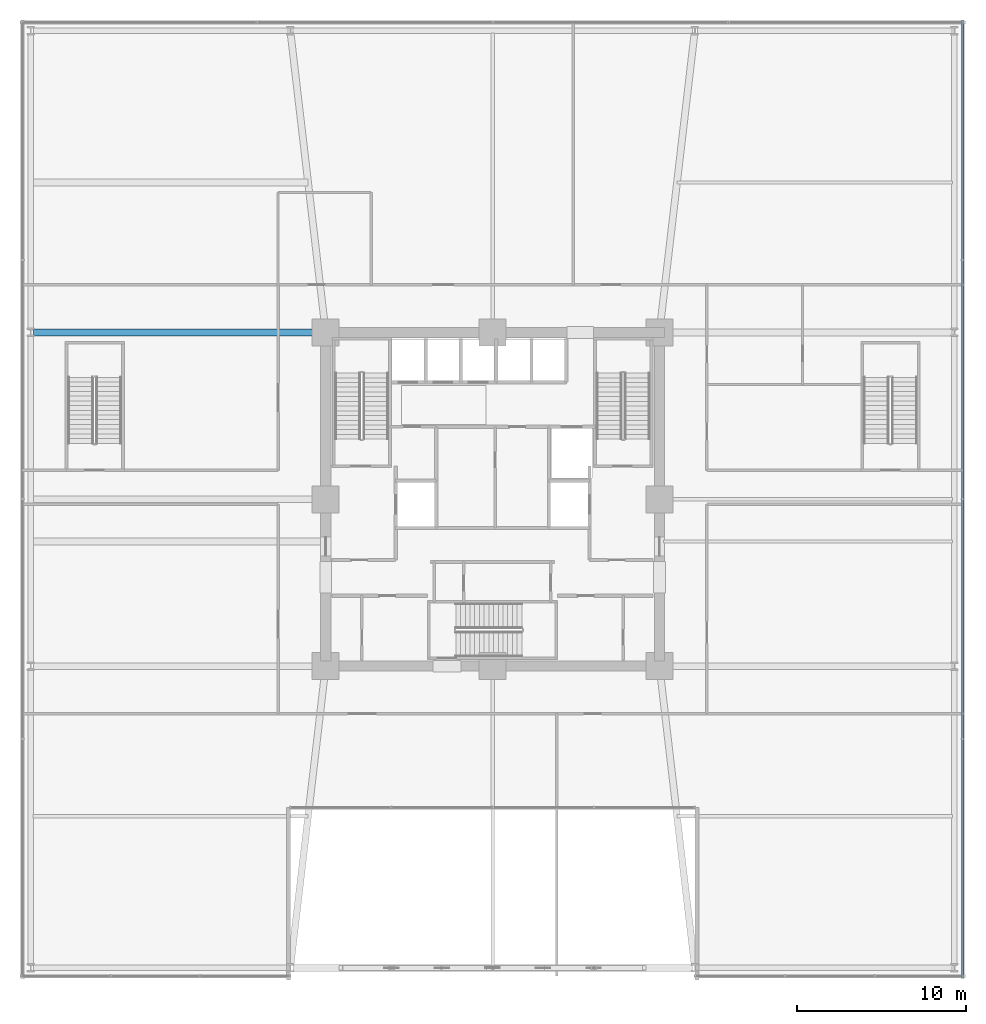
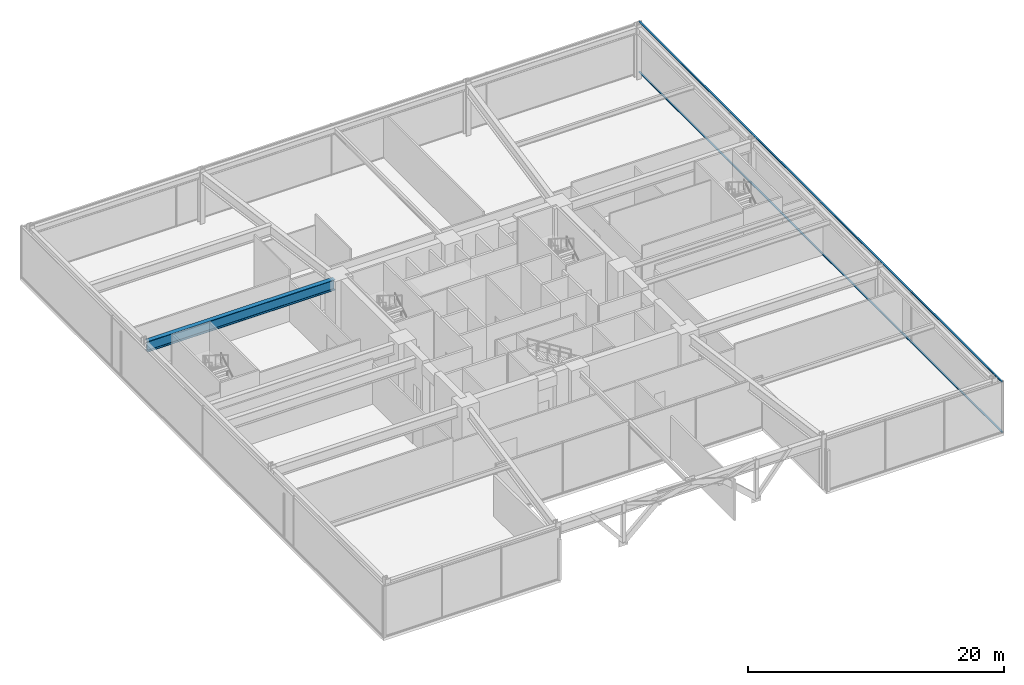
# One storey, part 27 of 49: 2 members, 1 beam, 1 element without a shape of its own.
"""IFC4 building model written with IfcOpenShell, lengths in metres."""

from ifc_helpers import new_model, si_unit, direction, frame, origin, origin_2d, place, context, subcontext, project, spatial, hollow_rectangle, i_section, extrude, material, material_profile, profile_set, type_object, element, aggregate, save


model = new_model("IFC4")

# Units and contexts
model_context = context("Model", 3, precision=1e-05, world=origin(), true_north=direction((0.0, 1.0)))
body_context = subcontext(model_context, "Body", "Model", "MODEL_VIEW")
ifc_project = project(units=[si_unit("LENGTHUNIT", "METRE"), si_unit("AREAUNIT", "SQUARE_METRE"), si_unit("VOLUMEUNIT", "CUBIC_METRE"), si_unit("PLANEANGLEUNIT", "RADIAN"), si_unit("MASSUNIT", "GRAM", prefix="KILO")], contexts=[model_context])

# Site, building, storey
site_placement = place(None, origin())
site = spatial("IfcSite", under=ifc_project, at=site_placement, CompositionType="ELEMENT")
building_placement = place(site_placement, origin())
building = spatial("IfcBuilding", under=site, at=building_placement, Name="Kolvaren Belvedere", CompositionType="ELEMENT")
storey_placement = place(building_placement, frame((0.0, 0.0, 10.0)))
storey = spatial("IfcBuildingStorey", under=building, at=storey_placement, Name="L03", CompositionType="ELEMENT", Elevation=10.0)

# Beam
ifc_material_1 = material(Name="Structural steel ASTM A992 Grade 50", Category="steel")
ifc_material_profile_1 = material_profile(ifc_material_1, i_section(OverallWidth=0.40087890625, OverallDepth=1.010986328125, WebThickness=0.023681640625, FlangeThickness=0.0419921875, FilletRadius=0.030029296875, at=origin_2d()), Name="W40X297")
ifc_profile_set_1 = profile_set([ifc_material_profile_1], Name="Structural steel ASTM A992 Grade 50")
beam_type = type_object("IfcBeamType", Name="BM-BALL-W40X297", PredefinedType="BEAM", material=ifc_profile_set_1)
beam_placement = place(storey_placement, frame((-27.25, 9.89990234375, 4.41455078125), z_axis=(1.0, 0.0, 0.0), x_axis=(0.0, 1.0, 0.0)))
element("IfcBeam", 1, at=beam_placement, inside=storey, type_object=beam_type, Name="L03 West Interior Girder N", PredefinedType="BEAM", context=body_context, shape_type="SweptSolid", body=[
    extrude(i_section(OverallWidth=0.40087890625, OverallDepth=1.010986328125, WebThickness=0.023681640625, FlangeThickness=0.0419921875, FilletRadius=0.030029296875, at=origin_2d()), origin(), (0.0, 0.0, 1.0), 16.89990234375),
])

# Curtain wall, members
ifc_material_2 = material(Name="Anodised pale-metal aluminium AA 6063-T6", Category="aluminium")
curtain_wall_type = type_object("IfcCurtainWallType", Name="CW-POD-A", PredefinedType="NOTDEFINED", material=ifc_material_2)
curtain_wall_placement = place(storey_placement, origin())
curtain_wall = element("IfcCurtainWall", 2, at=curtain_wall_placement, inside=storey, type_object=curtain_wall_type, Name="L03 Unitised Curtain Wall FCW-L03-SEG6", PredefinedType="NOTDEFINED")
ifc_material_3 = material(Name="Anodised pale-metal aluminium AA 6063-T6", Category="aluminium")
ifc_material_profile_2 = material_profile(ifc_material_3, hollow_rectangle(XDim=0.06494140625, YDim=0.159912109375, WallThickness=0.00390625, at=origin_2d()), Name="ALU-TRN-160X65")
ifc_profile_set_2 = profile_set([ifc_material_profile_2], Name="Anodised pale-metal aluminium AA 6063-T6")
member_type = type_object("IfcMemberType", Name="CW-TRN-160", PredefinedType="USERDEFINED", material=ifc_profile_set_2)
member_1_placement = place(storey_placement, frame((27.8798828125, 28.39990234375, 0.06005859375), z_axis=(0.0, -1.0, 0.0), x_axis=(0.0, 0.0, 1.0)))
member_1 = element("IfcMember", 3, at=member_1_placement, type_object=member_type, Name="FCW-L03-SEG6 Sill Transom", ObjectType="TRANSOM", PredefinedType="USERDEFINED", context=body_context, shape_type="SweptSolid", body=[
    extrude(hollow_rectangle(XDim=0.06494140625, YDim=0.159912109375, WallThickness=0.00390625, at=origin_2d()), origin(), (0.0, 0.0, 1.0), 56.7998046875),
])
member_2_placement = place(storey_placement, frame((27.8798828125, 28.39990234375, 4.860107421875), z_axis=(0.0, -1.0, 0.0), x_axis=(0.0, 0.0, 1.0)))
member_2 = element("IfcMember", 4, at=member_2_placement, type_object=member_type, Name="FCW-L03-SEG6 Head Transom", ObjectType="TRANSOM", PredefinedType="USERDEFINED", context=body_context, shape_type="SweptSolid", body=[
    extrude(hollow_rectangle(XDim=0.06494140625, YDim=0.159912109375, WallThickness=0.00390625, at=origin_2d()), origin(), (0.0, 0.0, 1.0), 56.7998046875),
])
aggregate(curtain_wall, [member_1, member_2])

save(model, "model.ifc")
